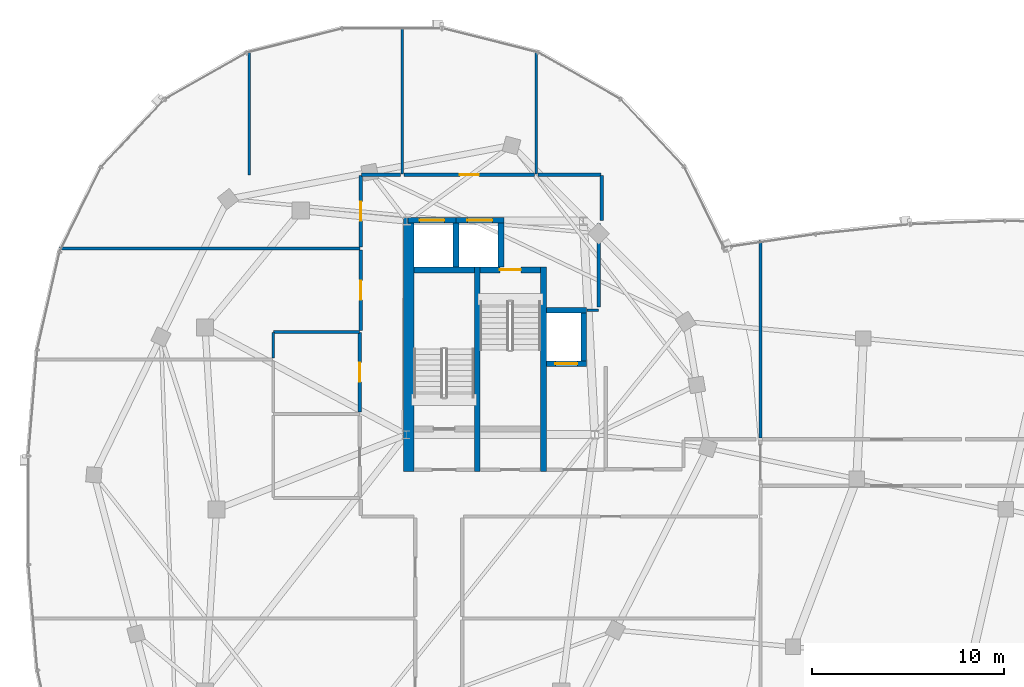
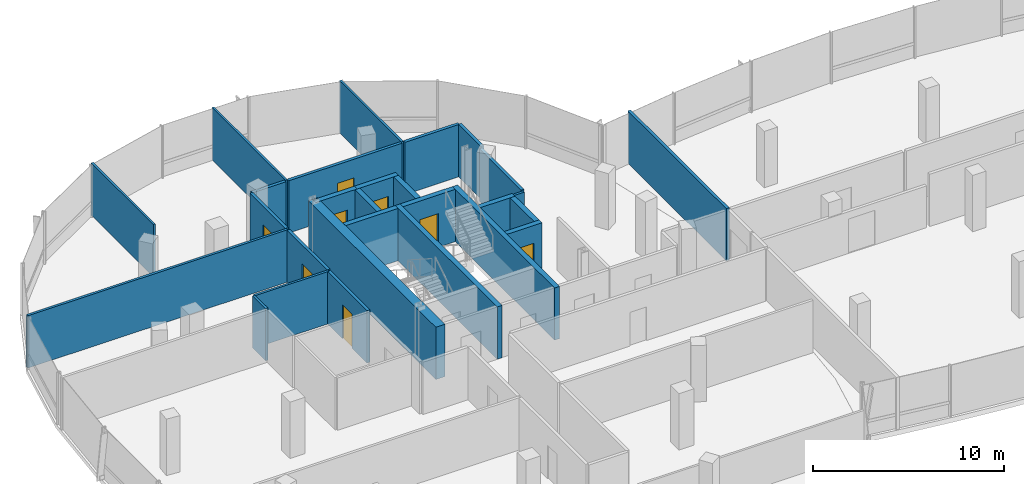
# One storey, part 15 of 26: 28 walls, 8 doors, 8 openings.
"""IFC4 building model written with IfcOpenShell, lengths in metres."""

import ifcopenshell
import ifcopenshell.guid

model = None  # the IFC model being written
_history = None  # IfcOwnerHistory: only IFC2X3 demands one
_inside = {}  # id of a spatial element -> (the spatial element, [elements in it])
_under = {}  # id of a project, library or spatial element -> (it, [spatial elements below it])
_declared = {}  # id of a project -> (the project, [libraries it declares])
_typed = {}  # id of a type object -> (the type object, [elements of that type])
_made_of = {}  # id of a material, layer set ... -> (it, [elements and type objects made of it])


def new_model(schema):
    """Start an empty IFC model of exactly this schema.

    Asked for "IFC4X3", IfcOpenShell would pick the latest addendum, in which some entities
    have other attributes; the version numbers below select the first issue.
    IFC2X3 requires an IfcOwnerHistory on every rooted entity: one is made here for all.
    """
    global model, _history
    if schema == "IFC4X3":
        model = ifcopenshell.file(schema_version=(4, 3, 0, 0))
    else:
        model = ifcopenshell.file(schema=schema)
    _inside.clear()
    _under.clear()
    _declared.clear()
    _typed.clear()
    _made_of.clear()
    _history = None
    if model.schema == "IFC2X3":
        org = make("IfcOrganization", Name="unknown")
        user = make(
            "IfcPersonAndOrganization",
            ThePerson=make("IfcPerson", FamilyName="unknown"),
            TheOrganization=org,
        )
        app = make(
            "IfcApplication",
            ApplicationDeveloper=org,
            Version="unknown",
            ApplicationFullName="unknown",
            ApplicationIdentifier="unknown",
        )
        _history = make(
            "IfcOwnerHistory",
            OwningUser=user,
            OwningApplication=app,
            ChangeAction="ADDED",
            CreationDate=0,
        )
    return model


def make(cls, **values):
    """One entity of the class cls with the attributes given. An attribute that is None is left unset."""
    return model.create_entity(
        cls, **{name: value for name, value in values.items() if value is not None}
    )


def rooted(cls, **values):
    """An entity with a GlobalId (a new one), such as an element, a storey or a relation."""
    return make(cls, GlobalId=ifcopenshell.guid.new(), OwnerHistory=_history, **values)


def si_unit(unit_type, name, prefix=None):
    """IfcSIUnit, for example si_unit("LENGTHUNIT", "METRE", prefix="MILLI")."""
    return make("IfcSIUnit", UnitType=unit_type, Prefix=prefix, Name=name)


def assignment(units):
    """IfcUnitAssignment: the units of a project."""
    return None if units is None else make("IfcUnitAssignment", Units=units)


def point(xyz):
    """IfcCartesianPoint."""
    return None if xyz is None else make("IfcCartesianPoint", Coordinates=xyz)


def direction(xyz):
    """IfcDirection."""
    return None if xyz is None else make("IfcDirection", DirectionRatios=xyz)


def frame(location, z_axis=None, x_axis=None):
    """IfcAxis2Placement3D, a coordinate frame: its origin and axes. An axis left out is left unset."""
    return make(
        "IfcAxis2Placement3D",
        Location=point(location),
        Axis=direction(z_axis),
        RefDirection=direction(x_axis),
    )


def frame_2d(location, x_axis=None):
    """IfcAxis2Placement2D, a coordinate frame in the plane: its origin and x axis."""
    return make(
        "IfcAxis2Placement2D", Location=point(location), RefDirection=direction(x_axis)
    )


def origin():
    """The frame at (0, 0, 0) with its axes left unset."""
    return frame((0.0, 0.0, 0.0))


def place(relative_to, where):
    """IfcLocalPlacement: puts the frame where relative to a parent placement (None: the world)."""
    return make(
        "IfcLocalPlacement", PlacementRelTo=relative_to, RelativePlacement=where
    )


def context(
    kind, dimensions, precision=None, world=None, true_north=None, identifier=None
):
    """IfcGeometricRepresentationContext, for example the 3D "Model" context."""
    return make(
        "IfcGeometricRepresentationContext",
        ContextIdentifier=identifier,
        ContextType=kind,
        CoordinateSpaceDimension=dimensions,
        Precision=precision,
        WorldCoordinateSystem=world,
        TrueNorth=true_north,
    )


def subcontext(parent, identifier, kind, view, scale=None):
    """IfcGeometricRepresentationSubContext, for example "Body" below "Model"."""
    return make(
        "IfcGeometricRepresentationSubContext",
        ContextIdentifier=identifier,
        ContextType=kind,
        ParentContext=parent,
        TargetScale=scale,
        TargetView=view,
    )


def project(units=None, contexts=None):
    """IfcProject with its units and contexts."""
    return rooted(
        "IfcProject",
        Name="project",
        RepresentationContexts=contexts,
        UnitsInContext=assignment(units),
    )


def spatial(cls, under=None, at=None, **own):
    """A site, building, storey or space (cls), placed at a placement, below another one or the project."""
    s = rooted(cls, ObjectPlacement=at, **own)
    if under is not None:
        _under.setdefault(under.id(), (under, []))[1].append(s)
    return s


def profile(cls, at=None, kind="AREA", **sizes):
    """A parametric profile (cls). Its sizes go by their IFC names, for example OverallWidth=200.0."""
    return make(cls, ProfileType=kind, Position=at, **sizes)


def rectangle(**sizes):
    """IfcRectangleProfileDef."""
    return profile("IfcRectangleProfileDef", **sizes)


def extrude(swept, where, along, depth):
    """IfcExtrudedAreaSolid: the profile swept, set in the frame where, extruded along a direction by depth."""
    return make(
        "IfcExtrudedAreaSolid",
        SweptArea=swept,
        Position=where,
        ExtrudedDirection=direction(along),
        Depth=depth,
    )


def shape(context_of_items, identifier, shape_type, items):
    """IfcShapeRepresentation: the items that make up one representation, for example the "Body"."""
    return make(
        "IfcShapeRepresentation",
        ContextOfItems=context_of_items,
        RepresentationIdentifier=identifier,
        RepresentationType=shape_type,
        Items=items,
    )


def material(Name=None, Category=None):
    """IfcMaterial."""
    return make("IfcMaterial", Name=Name, Category=Category)


def layer(
    of_material, thickness, ventilated=None, Name=None, Category=None, Priority=None
):
    """IfcMaterialLayer: one layer of a wall or slab, of a material (None: an air gap)."""
    return make(
        "IfcMaterialLayer",
        Material=of_material,
        LayerThickness=thickness,
        IsVentilated=ventilated,
        Name=Name,
        Category=Category,
        Priority=Priority,
    )


def layer_set(layers, Name=None):
    """IfcMaterialLayerSet."""
    return make("IfcMaterialLayerSet", MaterialLayers=layers, LayerSetName=Name)


def made_of(thing, what):
    """Note that an element or type object is made of a material, layer set ...; save() writes the relation."""
    if what is not None:
        _made_of.setdefault(what.id(), (what, []))[1].append(thing)
    return thing


def type_object(cls, material=None, **own):
    """A type object (cls), such as IfcWallType, which elements share."""
    return made_of(rooted(cls, **own), material)


def element(
    cls,
    number,
    at=None,
    inside=None,
    cuts=None,
    type_object=None,
    material=None,
    context=None,
    identifier="Body",
    shape_type=None,
    held_by="IfcProductDefinitionShape",
    body=None,
    shapes=None,
    **own,
):
    """One element of the class cls, such as IfcWall. Its Tag is "e" and its number.

    at: its placement. inside: the storey or other place that contains it. cuts: it is an
    opening in that element (IfcRelVoidsElement). A single representation is given by context,
    identifier, shape_type and body (its items); several are given by shapes. held_by: the class
    of the entity that holds the representations. save() writes the other relations.
    """
    e = rooted(cls, Tag="e%d" % number, ObjectPlacement=at, **own)
    if body is not None:
        shapes = [shape(context, identifier, shape_type, body)]
    if shapes is not None:
        e.Representation = make(held_by, Representations=shapes)
    if inside is not None:
        _inside.setdefault(inside.id(), (inside, []))[1].append(e)
    if cuts is not None:
        rooted(
            "IfcRelVoidsElement", RelatingBuildingElement=cuts, RelatedOpeningElement=e
        )
    if type_object is not None:
        _typed.setdefault(type_object.id(), (type_object, []))[1].append(e)
    return made_of(e, material)


def fill(opening, filler):
    """IfcRelFillsElement: the door or window that sits in an opening."""
    return rooted(
        "IfcRelFillsElement",
        RelatingOpeningElement=opening,
        RelatedBuildingElement=filler,
    )


def aggregate(whole, parts):
    """IfcRelAggregates: a whole, such as a stair, and the parts it consists of."""
    return rooted("IfcRelAggregates", RelatingObject=whole, RelatedObjects=parts)


def save(model, path):
    """Write the relations noted so far, then the file.

    IfcRelAggregates (storeys below a building ...), IfcRelContainedInSpatialStructure (elements
    in a storey), IfcRelDefinesByType, IfcRelAssociatesMaterial and IfcRelDeclares: one each for
    every whole, place, type object, material and project.
    """
    for whole, parts in _under.values():
        aggregate(whole, parts)
    for where, things in _inside.values():
        rooted(
            "IfcRelContainedInSpatialStructure",
            RelatedElements=things,
            RelatingStructure=where,
        )
    for kind, things in _typed.values():
        rooted("IfcRelDefinesByType", RelatedObjects=things, RelatingType=kind)
    for what, things in _made_of.values():
        rooted("IfcRelAssociatesMaterial", RelatedObjects=things, RelatingMaterial=what)
    for by, libraries in _declared.values():
        rooted("IfcRelDeclares", RelatingContext=by, RelatedDefinitions=libraries)
    model.write(path)


model = new_model("IFC4")

# Units and contexts
model_context = context("Model", 3, precision=1e-05, world=origin(), true_north=direction((0.0, 1.0)))
body_context = subcontext(model_context, "Body", "Model", "MODEL_VIEW")
ifc_project = project(units=[si_unit("LENGTHUNIT", "METRE"), si_unit("AREAUNIT", "SQUARE_METRE"), si_unit("VOLUMEUNIT", "CUBIC_METRE"), si_unit("PLANEANGLEUNIT", "RADIAN"), si_unit("MASSUNIT", "GRAM", prefix="KILO"), si_unit("THERMODYNAMICTEMPERATUREUNIT", "KELVIN"), si_unit("POWERUNIT", "WATT")], contexts=[model_context])

# Site, building, storey
site_placement = place(None, origin())
site = spatial("IfcSite", under=ifc_project, at=site_placement, CompositionType="ELEMENT")
building_placement = place(site_placement, origin())
building = spatial("IfcBuilding", under=site, at=building_placement, Name="Cundina Bronze Exchange", CompositionType="ELEMENT")
storey_placement = place(building_placement, frame((0.0, 0.0, 261.199951171875)))
storey = spatial("IfcBuildingStorey", under=building, at=storey_placement, Name="L69", CompositionType="ELEMENT", Elevation=261.199951171875)

# Wall
ifc_material_1 = material(Name="Gypsum Fireboard Partition EI120")
ifc_layer_1 = layer(ifc_material_1, 0.179931640625, Name="Gypsum Fireboard Partition EI120")
ifc_layer_set_1 = layer_set([ifc_layer_1], Name="Gypsum Fireboard Partition EI120")
wall_type_1 = type_object("IfcWallType", Name="WL-COR-180", PredefinedType="PARTITIONING", material=ifc_layer_set_1)
wall_1_placement = place(storey_placement, frame((-21.25, 10.570068359375, 0.0), z_axis=(0.0, 0.0, 1.0), x_axis=(0.0, 1.0, 0.0)))
element("IfcWall", 1, at=wall_1_placement, inside=storey, type_object=wall_type_1, Name="L69 Interior Partition 002", PredefinedType="PARTITIONING", context=body_context, shape_type="SweptSolid", body=[
    extrude(rectangle(XDim=4.35986328125, YDim=0.179931640625, at=frame_2d((2.179931640625, 0.0))), origin(), (0.0, 0.0, 1.0), 3.340087890625),
])

# Wall, opening, door
wall_2_placement = place(storey_placement, frame((-33.719970703125, 5.080078125, 0.0), z_axis=(0.0, 0.0, 1.0), x_axis=(0.0, 1.0, 0.0)))
wall_2 = element("IfcWall", 2, at=wall_2_placement, inside=storey, type_object=wall_type_1, Name="L69 Interior Partition 011", PredefinedType="PARTITIONING", context=body_context, shape_type="SweptSolid", body=[
    extrude(rectangle(XDim=4.159912109375, YDim=0.179931640625, at=frame_2d((2.080078125, 0.0))), origin(), (0.0, 0.0, 1.0), 3.340087890625),
])
opening_1_placement = place(wall_2_placement, frame((1.580078125, 0.0, 0.0)))
opening_1 = element("IfcOpeningElement", 3, at=opening_1_placement, cuts=wall_2, Name="Opening DO-01", PredefinedType="OPENING", context=body_context, shape_type="SweptSolid", body=[
    extrude(rectangle(XDim=1.0, YDim=2.14990234375, at=frame_2d((0.5, 1.074951171875))), frame((0.0, 0.099853515625, 0.0), z_axis=(0.0, -1.0, 0.0), x_axis=(1.0, 0.0, 0.0)), (0.0, 0.0, 1.0), 0.199951171875),
])
ifc_material_2 = material(Name="Solid Andean Oak Timber Grade A", Category="wood")
door_type_1 = type_object("IfcDoorType", Name="DR-OFF-1000", OperationType="NOTDEFINED", PredefinedType="DOOR", material=ifc_material_2)
door_1_placement = place(opening_1_placement, origin())
door_1 = element("IfcDoor", 4, at=door_1_placement, inside=storey, type_object=door_type_1, Name="L69 Interior Door 011", OperationType="SINGLE_SWING_LEFT", OverallHeight=2.14990234375, OverallWidth=1.0, PredefinedType="DOOR", context=body_context, shape_type="SweptSolid", body=[
    extrude(rectangle(XDim=1.0, YDim=2.14990234375, at=frame_2d((0.5, 1.074951171875))), frame((0.0, 0.02490234375, 0.0), z_axis=(0.0, -1.0, 0.0), x_axis=(1.0, 0.0, 0.0)), (0.0, 0.0, 1.0), 0.050048828125),
])
fill(opening_1, door_1)

wall_3_placement = place(storey_placement, frame((-33.669921875, 13.530029296875, 0.0), z_axis=(0.0, 0.0, 1.0), x_axis=(0.0, -1.0, 0.0)))
wall_3 = element("IfcWall", 5, at=wall_3_placement, inside=storey, type_object=wall_type_1, Name="L69 Interior Partition 027", PredefinedType="PARTITIONING", context=body_context, shape_type="SweptSolid", body=[
    extrude(rectangle(XDim=4.1787109375, YDim=0.179931640625, at=frame_2d((2.08935546875, 0.0))), origin(), (0.0, 0.0, 1.0), 3.340087890625),
])
opening_2_placement = place(wall_3_placement, frame((1.58935546875, 0.0, 0.0)))
opening_2 = element("IfcOpeningElement", 6, at=opening_2_placement, cuts=wall_3, Name="Opening DO-01", PredefinedType="OPENING", context=body_context, shape_type="SweptSolid", body=[
    extrude(rectangle(XDim=1.0, YDim=2.14990234375, at=frame_2d((0.5, 1.074951171875))), frame((0.0, 0.099853515625, 0.0), z_axis=(0.0, -1.0, 0.0), x_axis=(1.0, 0.0, 0.0)), (0.0, 0.0, 1.0), 0.199951171875),
])
door_2_placement = place(opening_2_placement, origin())
door_2 = element("IfcDoor", 7, at=door_2_placement, inside=storey, type_object=door_type_1, Name="L69 Interior Door 027", OperationType="SINGLE_SWING_RIGHT", OverallHeight=2.14990234375, OverallWidth=1.0, PredefinedType="DOOR", context=body_context, shape_type="SweptSolid", body=[
    extrude(rectangle(XDim=1.0, YDim=2.14990234375, at=frame_2d((0.5, 1.074951171875))), frame((0.0, 0.02490234375, 0.0), z_axis=(0.0, -1.0, 0.0), x_axis=(1.0, 0.0, 0.0)), (0.0, 0.0, 1.0), 0.050048828125),
])
fill(opening_2, door_2)

# Walls
wall_4_placement = place(storey_placement, frame((-21.12158203125, 17.469970703125, 0.0), z_axis=(0.0, 0.0, 1.0), x_axis=(-1.0, 0.0, 0.0)))
element("IfcWall", 8, at=wall_4_placement, inside=storey, type_object=wall_type_1, Name="L69 Interior Partition 030", PredefinedType="PARTITIONING", context=body_context, shape_type="SweptSolid", body=[
    extrude(rectangle(XDim=3.288330078125, YDim=0.179931640625, at=frame_2d((1.64404296875, 0.0))), origin(), (0.0, 0.0, 1.0), 3.340087890625),
])
wall_5_placement = place(storey_placement, frame((-21.080078125, 15.071533203125, 0.0), z_axis=(0.0, 0.0, 1.0), x_axis=(0.0, 1.0, 0.0)))
element("IfcWall", 9, at=wall_5_placement, inside=storey, type_object=wall_type_1, Name="L69 Interior Partition 031", PredefinedType="PARTITIONING", context=body_context, shape_type="SweptSolid", body=[
    extrude(rectangle(XDim=2.35693359375, YDim=0.179931640625, at=frame_2d((1.178466796875, 0.0))), origin(), (0.0, 0.0, 1.0), 3.340087890625),
])

# Wall, opening, door
wall_6_placement = place(storey_placement, frame((-33.669921875, 17.428466796875, 0.0), z_axis=(0.0, 0.0, 1.0), x_axis=(0.0, -1.0, 0.0)))
wall_6 = element("IfcWall", 10, at=wall_6_placement, inside=storey, type_object=wall_type_1, Name="L69 Interior Partition 033", PredefinedType="PARTITIONING", context=body_context, shape_type="SweptSolid", body=[
    extrude(rectangle(XDim=3.718505859375, YDim=0.179931640625, at=frame_2d((1.859375, 0.0))), origin(), (0.0, 0.0, 1.0), 3.340087890625),
])
opening_3_placement = place(wall_6_placement, frame((1.359130859375, 0.0, 0.0)))
opening_3 = element("IfcOpeningElement", 11, at=opening_3_placement, cuts=wall_6, Name="Opening DO-01", PredefinedType="OPENING", context=body_context, shape_type="SweptSolid", body=[
    extrude(rectangle(XDim=1.0, YDim=2.14990234375, at=frame_2d((0.5, 1.074951171875))), frame((0.0, 0.099853515625, 0.0), z_axis=(0.0, -1.0, 0.0), x_axis=(1.0, 0.0, 0.0)), (0.0, 0.0, 1.0), 0.199951171875),
])
door_3_placement = place(opening_3_placement, origin())
door_3 = element("IfcDoor", 12, at=door_3_placement, inside=storey, type_object=door_type_1, Name="L69 Interior Door 033", OperationType="SINGLE_SWING_RIGHT", OverallHeight=2.14990234375, OverallWidth=1.0, PredefinedType="DOOR", context=body_context, shape_type="SweptSolid", body=[
    extrude(rectangle(XDim=1.0, YDim=2.14990234375, at=frame_2d((0.5, 1.074951171875))), frame((0.0, 0.02490234375, 0.0), z_axis=(0.0, -1.0, 0.0), x_axis=(1.0, 0.0, 0.0)), (0.0, 0.0, 1.0), 0.050048828125),
])
fill(opening_3, door_3)

# Wall
wall_7_placement = place(storey_placement, frame((-31.590087890625, 17.469970703125, 0.0), z_axis=(0.0, 0.0, 1.0), x_axis=(-1.0, 0.0, 0.0)))
element("IfcWall", 13, at=wall_7_placement, inside=storey, type_object=wall_type_1, Name="L69 Interior Partition 034", PredefinedType="PARTITIONING", context=body_context, shape_type="SweptSolid", body=[
    extrude(rectangle(XDim=2.038330078125, YDim=0.179931640625, at=frame_2d((1.01904296875, 0.0))), origin(), (0.0, 0.0, 1.0), 3.340087890625),
])

# Wall, opening, door
wall_8_placement = place(storey_placement, frame((-24.590087890625, 17.469970703125, 0.0), z_axis=(0.0, 0.0, 1.0), x_axis=(-1.0, 0.0, 0.0)))
wall_8 = element("IfcWall", 14, at=wall_8_placement, inside=storey, type_object=wall_type_1, Name="L69 Interior Partition 035", PredefinedType="PARTITIONING", context=body_context, shape_type="SweptSolid", body=[
    extrude(rectangle(XDim=6.81982421875, YDim=0.179931640625, at=frame_2d((3.409912109375, 0.0))), origin(), (0.0, 0.0, 1.0), 3.340087890625),
])
opening_4_placement = place(wall_8_placement, frame((2.909912109375, 0.0, 0.0)))
opening_4 = element("IfcOpeningElement", 15, at=opening_4_placement, cuts=wall_8, Name="Opening DO-01", PredefinedType="OPENING", context=body_context, shape_type="SweptSolid", body=[
    extrude(rectangle(XDim=1.0, YDim=2.14990234375, at=frame_2d((0.5, 1.074951171875))), frame((0.0, 0.099853515625, 0.0), z_axis=(0.0, -1.0, 0.0), x_axis=(1.0, 0.0, 0.0)), (0.0, 0.0, 1.0), 0.199951171875),
])
door_4_placement = place(opening_4_placement, origin())
door_4 = element("IfcDoor", 16, at=door_4_placement, inside=storey, type_object=door_type_1, Name="L69 Interior Door 035", OperationType="SINGLE_SWING_RIGHT", OverallHeight=2.14990234375, OverallWidth=1.0, PredefinedType="DOOR", context=body_context, shape_type="SweptSolid", body=[
    extrude(rectangle(XDim=1.0, YDim=2.14990234375, at=frame_2d((0.5, 1.074951171875))), frame((0.0, 0.02490234375, 0.0), z_axis=(0.0, -1.0, 0.0), x_axis=(1.0, 0.0, 0.0)), (0.0, 0.0, 1.0), 0.050048828125),
])
fill(opening_4, door_4)

# Walls
wall_9_placement = place(storey_placement, frame((-12.800048828125, 3.739990234375, 0.0), z_axis=(0.0, 0.0, 1.0), x_axis=(0.0, 1.0, 0.0)))
element("IfcWall", 17, at=wall_9_placement, inside=storey, type_object=wall_type_1, Name="L69 Interior Partition 081", PredefinedType="PARTITIONING", context=body_context, shape_type="SweptSolid", body=[
    extrude(rectangle(XDim=10.3037109375, YDim=0.179931640625, at=frame_2d((5.15185546875, 0.0))), origin(), (0.0, 0.0, 1.0), 3.340087890625),
])
ifc_material_3 = material(Name="Concrete C50/60", Category="concrete")
ifc_layer_2 = layer(ifc_material_3, 0.550048828125, Name="Concrete C50/60", Category="concrete")
ifc_layer_set_2 = layer_set([ifc_layer_2], Name="Concrete C50/60")
wall_type_2 = type_object("IfcWallType", Name="WL-CORE-550", PredefinedType="SHEAR", material=ifc_layer_set_2)
wall_10_placement = place(storey_placement, frame((-31.175048828125, 1.969970703125, 0.0), z_axis=(0.0, 0.0, 1.0), x_axis=(0.0, 1.0, 0.0)))
element("IfcWall", 18, at=wall_10_placement, inside=storey, type_object=wall_type_2, Name="L69 W Primary Core Shear Spine Wall", PredefinedType="SHEAR", context=body_context, shape_type="SweptSolid", body=[
    extrude(rectangle(XDim=13.330078125, YDim=0.550048828125, at=frame_2d((6.6650390625, 0.0))), origin(), (0.0, 0.0, 1.0), 3.340087890625),
])
ifc_material_4 = material(Name="Gypsum Acoustic Partition EI60")
ifc_layer_3 = layer(ifc_material_4, 0.125, Name="Gypsum Acoustic Partition EI60")
ifc_layer_set_3 = layer_set([ifc_layer_3], Name="Gypsum Acoustic Partition EI60")
wall_type_3 = type_object("IfcWallType", Name="WL-OFF-125", PredefinedType="PARTITIONING", material=ifc_layer_set_3)
wall_11_placement = place(storey_placement, frame((-39.5, 17.469970703125, 0.0), z_axis=(0.0, 0.0, 1.0), x_axis=(0.0, 1.0, 0.0)))
element("IfcWall", 19, at=wall_11_placement, inside=storey, type_object=wall_type_3, Name="L69 Interior Partition 016", PredefinedType="PARTITIONING", context=body_context, shape_type="SweptSolid", body=[
    extrude(rectangle(XDim=6.49267578125, YDim=0.125, at=frame_2d((3.246337890625, 0.0))), origin(), (0.0, 0.0, 1.0), 3.340087890625),
])
wall_12_placement = place(storey_placement, frame((-31.5, 17.5, 0.0), z_axis=(0.0, 0.0, 1.0), x_axis=(0.0, 1.0, 0.0)))
element("IfcWall", 20, at=wall_12_placement, inside=storey, type_object=wall_type_3, Name="L69 Interior Partition 017", PredefinedType="PARTITIONING", context=body_context, shape_type="SweptSolid", body=[
    extrude(rectangle(XDim=7.68994140625, YDim=0.125, at=frame_2d((3.844970703125, 0.0))), origin(), (0.0, 0.0, 1.0), 3.340087890625),
])
wall_13_placement = place(storey_placement, frame((-24.5, 17.5, 0.0), z_axis=(0.0, 0.0, 1.0), x_axis=(0.0, 1.0, 0.0)))
element("IfcWall", 21, at=wall_13_placement, inside=storey, type_object=wall_type_3, Name="L69 Interior Partition 018", PredefinedType="PARTITIONING", context=body_context, shape_type="SweptSolid", body=[
    extrude(rectangle(XDim=6.462646484375, YDim=0.125, at=frame_2d((3.2314453125, 0.0))), origin(), (0.0, 0.0, 1.0), 3.340087890625),
])
ifc_layer_4 = layer(ifc_material_3, 0.300048828125, Name="Concrete C50/60", Category="concrete")
ifc_layer_set_4 = layer_set([ifc_layer_4], Name="Concrete C50/60")
wall_type_4 = type_object("IfcWallType", Name="WL-SHFT-300", PredefinedType="SHEAR", material=ifc_layer_set_4)
for number, where, z_axis, x_axis, name in (
    (22, (-27.590087890625, 1.969970703125, 0.0), (0.0, 0.0, 1.0), (0.0, 1.0, 0.0), "L69 W Stair Shaft Dividing Shear Wall"),
    (23, (-24.1298828125, 1.969970703125, 0.0), (0.0, 0.0, 1.0), (0.0, 1.0, 0.0), "L69 W Stair 2 East Shear Wall"),
):
    element("IfcWall", number, at=place(storey_placement, frame(where, z_axis=z_axis, x_axis=x_axis)), inside=storey, type_object=wall_type_4, Name=name, PredefinedType="SHEAR", context=body_context, shape_type="SweptSolid", body=[
        extrude(rectangle(XDim=10.679931640625, YDim=0.300048828125, at=frame_2d((5.33984375, 0.0))), origin(), (0.0, 0.0, 1.0), 3.340087890625),
    ])
wall_14_placement = place(storey_placement, frame((-30.89990234375, 12.5, 0.0), z_axis=(0.0, 0.0, 1.0), x_axis=(1.0, 0.0, 0.0)))
element("IfcWall", 24, at=wall_14_placement, inside=storey, type_object=wall_type_4, Name="L69 Stair W1 Far Shaft Wall", PredefinedType="SHEAR", context=body_context, shape_type="SweptSolid", body=[
    extrude(rectangle(XDim=3.159912109375, YDim=0.300048828125, at=frame_2d((1.580078125, 0.0))), origin(), (0.0, 0.0, 1.0), 3.340087890625),
])

# Wall, opening, door
wall_15_placement = place(storey_placement, frame((-27.43994140625, 12.5, 0.0), z_axis=(0.0, 0.0, 1.0), x_axis=(1.0, 0.0, 0.0)))
wall_15 = element("IfcWall", 25, at=wall_15_placement, inside=storey, type_object=wall_type_4, Name="L69 Stair W2 Landing Wall", PredefinedType="SHEAR", context=body_context, shape_type="SweptSolid", body=[
    extrude(rectangle(XDim=3.159912109375, YDim=0.300048828125, at=frame_2d((1.580078125, 0.0))), origin(), (0.0, 0.0, 1.0), 3.340087890625),
])
opening_5_placement = place(wall_15_placement, frame((1.030029296875, 0.0, 0.0)))
opening_5 = element("IfcOpeningElement", 26, at=opening_5_placement, cuts=wall_15, Name="Opening DS-01", PredefinedType="OPENING", context=body_context, shape_type="SweptSolid", body=[
    extrude(rectangle(XDim=1.10009765625, YDim=2.14990234375, at=frame_2d((0.550048828125, 1.074951171875))), frame((0.0, 0.159912109375, 0.0), z_axis=(0.0, -1.0, 0.0), x_axis=(1.0, 0.0, 0.0)), (0.0, 0.0, 1.0), 0.320068359375),
])
ifc_material_5 = material(Name="Steel ASTM A36 Painted", Category="steel")
door_type_2 = type_object("IfcDoorType", Name="DR-STR-1100", OperationType="NOTDEFINED", PredefinedType="DOOR", material=ifc_material_5)
door_5_placement = place(opening_5_placement, origin())
door_5 = element("IfcDoor", 27, at=door_5_placement, inside=storey, type_object=door_type_2, Name="L69 Smokeproof Stair W2 Door", OperationType="SINGLE_SWING_LEFT", OverallHeight=2.14990234375, OverallWidth=1.10009765625, PredefinedType="DOOR", context=body_context, shape_type="SweptSolid", body=[
    extrude(rectangle(XDim=1.10009765625, YDim=2.14990234375, at=frame_2d((0.550048828125, 1.074951171875))), frame((0.0, 0.02490234375, 0.0), z_axis=(0.0, -1.0, 0.0), x_axis=(1.0, 0.0, 0.0)), (0.0, 0.0, 1.0), 0.050048828125),
])
fill(opening_5, door_5)

wall_16_placement = place(storey_placement, frame((-23.97998046875, 7.60009765625, 0.0), z_axis=(0.0, 0.0, 1.0), x_axis=(1.0, 0.0, 0.0)))
wall_16 = element("IfcWall", 28, at=wall_16_placement, inside=storey, type_object=wall_type_4, Name="L69 FFL-W Hoistway Front Wall", PredefinedType="SHEAR", context=body_context, shape_type="SweptSolid", body=[
    extrude(rectangle(XDim=2.10009765625, YDim=0.300048828125, at=frame_2d((1.050048828125, 0.0))), origin(), (0.0, 0.0, 1.0), 3.340087890625),
])
opening_6_placement = place(wall_16_placement, frame((0.47509765625, 0.0, 0.0)))
opening_6 = element("IfcOpeningElement", 29, at=opening_6_placement, cuts=wall_16, Name="Opening LD-01", PredefinedType="OPENING", context=body_context, shape_type="SweptSolid", body=[
    extrude(rectangle(XDim=1.14990234375, YDim=2.199951171875, at=frame_2d((0.574951171875, 1.10009765625))), frame((0.0, 0.159912109375, 0.0), z_axis=(0.0, -1.0, 0.0), x_axis=(1.0, 0.0, 0.0)), (0.0, 0.0, 1.0), 0.320068359375),
])
door_type_3 = type_object("IfcDoorType", Name="DR-LND-1150", OperationType="NOTDEFINED", PredefinedType="TRAPDOOR", material=ifc_material_5)
door_6_placement = place(opening_6_placement, origin())
door_6 = element("IfcDoor", 30, at=door_6_placement, inside=storey, type_object=door_type_3, Name="L69 FFL-W Sliding Landing Door", OperationType="SLIDING_TO_LEFT", OverallHeight=2.199951171875, OverallWidth=1.14990234375, PredefinedType="TRAPDOOR", context=body_context, shape_type="SweptSolid", body=[
    extrude(rectangle(XDim=1.14990234375, YDim=2.199951171875, at=frame_2d((0.574951171875, 1.10009765625))), frame((0.0, 0.02490234375, 0.0), z_axis=(0.0, -1.0, 0.0), x_axis=(1.0, 0.0, 0.0)), (0.0, 0.0, 1.0), 0.050048828125),
])
fill(opening_6, door_6)

# Walls
wall_17_placement = place(storey_placement, frame((-23.97998046875, 10.39990234375, 0.0), z_axis=(0.0, 0.0, 1.0), x_axis=(1.0, 0.0, 0.0)))
element("IfcWall", 31, at=wall_17_placement, inside=storey, type_object=wall_type_4, Name="L69 FFL-W Hoistway Back Wall", PredefinedType="SHEAR", context=body_context, shape_type="SweptSolid", body=[
    extrude(rectangle(XDim=2.10009765625, YDim=0.300048828125, at=frame_2d((1.050048828125, 0.0))), origin(), (0.0, 0.0, 1.0), 3.340087890625),
])
wall_18_placement = place(storey_placement, frame((-22.030029296875, 7.75, 0.0), z_axis=(0.0, 0.0, 1.0), x_axis=(0.0, 1.0, 0.0)))
element("IfcWall", 32, at=wall_18_placement, inside=storey, type_object=wall_type_4, Name="L69 FFL-W Hoistway Side Wall", PredefinedType="SHEAR", context=body_context, shape_type="SweptSolid", body=[
    extrude(rectangle(XDim=2.5, YDim=0.300048828125, at=frame_2d((1.25, 0.0))), origin(), (0.0, 0.0, 1.0), 3.340087890625),
])

# Wall, opening, door
wall_19_placement = place(storey_placement, frame((-31.199951171875, 15.10009765625, 0.0), z_axis=(0.0, 0.0, 1.0), x_axis=(1.0, 0.0, 0.0)))
wall_19 = element("IfcWall", 33, at=wall_19_placement, inside=storey, type_object=wall_type_4, Name="L69 PH-W1 Hoistway Front Wall", PredefinedType="SHEAR", context=body_context, shape_type="SweptSolid", body=[
    extrude(rectangle(XDim=2.5, YDim=0.300048828125, at=frame_2d((1.25, 0.0))), origin(), (0.0, 0.0, 1.0), 3.340087890625),
])
opening_7_placement = place(wall_19_placement, frame((0.60009765625, 0.0, 0.0)))
opening_7 = element("IfcOpeningElement", 34, at=opening_7_placement, cuts=wall_19, Name="Opening LD-02", PredefinedType="OPENING", context=body_context, shape_type="SweptSolid", body=[
    extrude(rectangle(XDim=1.300048828125, YDim=2.199951171875, at=frame_2d((0.64990234375, 1.10009765625))), frame((0.0, 0.159912109375, 0.0), z_axis=(0.0, -1.0, 0.0), x_axis=(1.0, 0.0, 0.0)), (0.0, 0.0, 1.0), 0.320068359375),
])
door_type_4 = type_object("IfcDoorType", Name="DR-LND-1300", OperationType="NOTDEFINED", PredefinedType="TRAPDOOR", material=ifc_material_5)
door_7_placement = place(opening_7_placement, origin())
door_7 = element("IfcDoor", 35, at=door_7_placement, inside=storey, type_object=door_type_4, Name="L69 PH-W1 Sliding Landing Door", OperationType="SLIDING_TO_LEFT", OverallHeight=2.199951171875, OverallWidth=1.300048828125, PredefinedType="TRAPDOOR", context=body_context, shape_type="SweptSolid", body=[
    extrude(rectangle(XDim=1.300048828125, YDim=2.199951171875, at=frame_2d((0.64990234375, 1.10009765625))), frame((0.0, 0.02490234375, 0.0), z_axis=(0.0, -1.0, 0.0), x_axis=(1.0, 0.0, 0.0)), (0.0, 0.0, 1.0), 0.050048828125),
])
fill(opening_7, door_7)

# Wall
wall_20_placement = place(storey_placement, frame((-28.699951171875, 12.64990234375, 0.0), z_axis=(0.0, 0.0, 1.0), x_axis=(0.0, 1.0, 0.0)))
element("IfcWall", 36, at=wall_20_placement, inside=storey, type_object=wall_type_4, Name="L69 PH-W1 Hoistway Divider Wall", PredefinedType="SHEAR", context=body_context, shape_type="SweptSolid", body=[
    extrude(rectangle(XDim=2.300048828125, YDim=0.300048828125, at=frame_2d((1.14990234375, 0.0))), origin(), (0.0, 0.0, 1.0), 3.340087890625),
])

# Wall, opening, door
wall_21_placement = place(storey_placement, frame((-28.699951171875, 15.10009765625, 0.0), z_axis=(0.0, 0.0, 1.0), x_axis=(1.0, 0.0, 0.0)))
wall_21 = element("IfcWall", 37, at=wall_21_placement, inside=storey, type_object=wall_type_4, Name="L69 PH-W2 Hoistway Front Wall", PredefinedType="SHEAR", context=body_context, shape_type="SweptSolid", body=[
    extrude(rectangle(XDim=2.5, YDim=0.300048828125, at=frame_2d((1.25, 0.0))), origin(), (0.0, 0.0, 1.0), 3.340087890625),
])
opening_8_placement = place(wall_21_placement, frame((0.60009765625, 0.0, 0.0)))
opening_8 = element("IfcOpeningElement", 38, at=opening_8_placement, cuts=wall_21, Name="Opening LD-02", PredefinedType="OPENING", context=body_context, shape_type="SweptSolid", body=[
    extrude(rectangle(XDim=1.300048828125, YDim=2.199951171875, at=frame_2d((0.64990234375, 1.10009765625))), frame((0.0, 0.159912109375, 0.0), z_axis=(0.0, -1.0, 0.0), x_axis=(1.0, 0.0, 0.0)), (0.0, 0.0, 1.0), 0.320068359375),
])
door_8_placement = place(opening_8_placement, origin())
door_8 = element("IfcDoor", 39, at=door_8_placement, inside=storey, type_object=door_type_4, Name="L69 PH-W2 Sliding Landing Door", OperationType="SLIDING_TO_LEFT", OverallHeight=2.199951171875, OverallWidth=1.300048828125, PredefinedType="TRAPDOOR", context=body_context, shape_type="SweptSolid", body=[
    extrude(rectangle(XDim=1.300048828125, YDim=2.199951171875, at=frame_2d((0.64990234375, 1.10009765625))), frame((0.0, 0.02490234375, 0.0), z_axis=(0.0, -1.0, 0.0), x_axis=(1.0, 0.0, 0.0)), (0.0, 0.0, 1.0), 0.050048828125),
])
fill(opening_8, door_8)

# Walls
wall_22_placement = place(storey_placement, frame((-26.35009765625, 12.64990234375, 0.0), z_axis=(0.0, 0.0, 1.0), x_axis=(0.0, 1.0, 0.0)))
element("IfcWall", 40, at=wall_22_placement, inside=storey, type_object=wall_type_4, Name="L69 PH-W2 Hoistway Divider Wall", PredefinedType="SHEAR", context=body_context, shape_type="SweptSolid", body=[
    extrude(rectangle(XDim=2.300048828125, YDim=0.300048828125, at=frame_2d((1.14990234375, 0.0))), origin(), (0.0, 0.0, 1.0), 3.340087890625),
])
ifc_layer_5 = layer(ifc_material_4, 0.14990234375, Name="Gypsum Acoustic Partition EI60")
ifc_layer_set_5 = layer_set([ifc_layer_5], Name="Gypsum Acoustic Partition EI60")
wall_type_5 = type_object("IfcWallType", Name="WL-TEN-150", PredefinedType="PARTITIONING", material=ifc_layer_set_5)
wall_23_placement = place(storey_placement, frame((-49.403564453125, 13.6201171875, 0.0), z_axis=(0.0, 0.0, 1.0), x_axis=(1.0, 0.0, 0.0)))
element("IfcWall", 41, at=wall_23_placement, inside=storey, type_object=wall_type_5, Name="L69 Interior Partition 015", PredefinedType="PARTITIONING", context=body_context, shape_type="SweptSolid", body=[
    extrude(rectangle(XDim=15.70361328125, YDim=0.14990234375, at=frame_2d((7.851806640625, 0.0))), origin(), (0.0, 0.0, 1.0), 3.340087890625),
])
ifc_material_6 = material(Name="Moisture-Resistant Masonry Block Grade M15", Category="masonry")
ifc_layer_6 = layer(ifc_material_6, 0.139892578125, Name="Moisture-Resistant Masonry Block Grade M15", Category="masonry")
ifc_layer_set_6 = layer_set([ifc_layer_6], Name="Moisture-Resistant Masonry Block Grade M15")
wall_type_6 = type_object("IfcWallType", Name="WL-WET-140", PredefinedType="PARTITIONING", material=ifc_layer_set_6)
wall_24_placement = place(storey_placement, frame((-21.860107421875, 10.39990234375, 0.0), z_axis=(0.0, 0.0, 1.0), x_axis=(1.0, 0.0, 0.0)))
element("IfcWall", 42, at=wall_24_placement, inside=storey, type_object=wall_type_6, Name="L69 Interior Partition 001", PredefinedType="PARTITIONING", context=body_context, shape_type="SweptSolid", body=[
    extrude(rectangle(XDim=0.590087890625, YDim=0.139892578125, at=frame_2d((0.294921875, 0.0))), origin(), (0.0, 0.0, 1.0), 3.340087890625),
])
wall_25_placement = place(storey_placement, frame((-38.239990234375, 7.905029296875, 0.0), z_axis=(0.0, 0.0, 1.0), x_axis=(0.0, 1.0, 0.0)))
element("IfcWall", 43, at=wall_25_placement, inside=storey, type_object=wall_type_6, Name="L69 Interior Partition 006", PredefinedType="PARTITIONING", context=body_context, shape_type="SweptSolid", body=[
    extrude(rectangle(XDim=1.3349609375, YDim=0.139892578125, at=frame_2d((0.66748046875, 0.0))), origin(), (0.0, 0.0, 1.0), 3.340087890625),
])
wall_26_placement = place(storey_placement, frame((-38.219970703125, 9.260009765625, 0.0), z_axis=(0.0, 0.0, 1.0), x_axis=(1.0, 0.0, 0.0)))
element("IfcWall", 44, at=wall_26_placement, inside=storey, type_object=wall_type_6, Name="L69 Interior Partition 009", PredefinedType="PARTITIONING", context=body_context, shape_type="SweptSolid", body=[
    extrude(rectangle(XDim=4.47998046875, YDim=0.139892578125, at=frame_2d((2.239990234375, 0.0))), origin(), (0.0, 0.0, 1.0), 3.340087890625),
])

save(model, "model.ifc")
